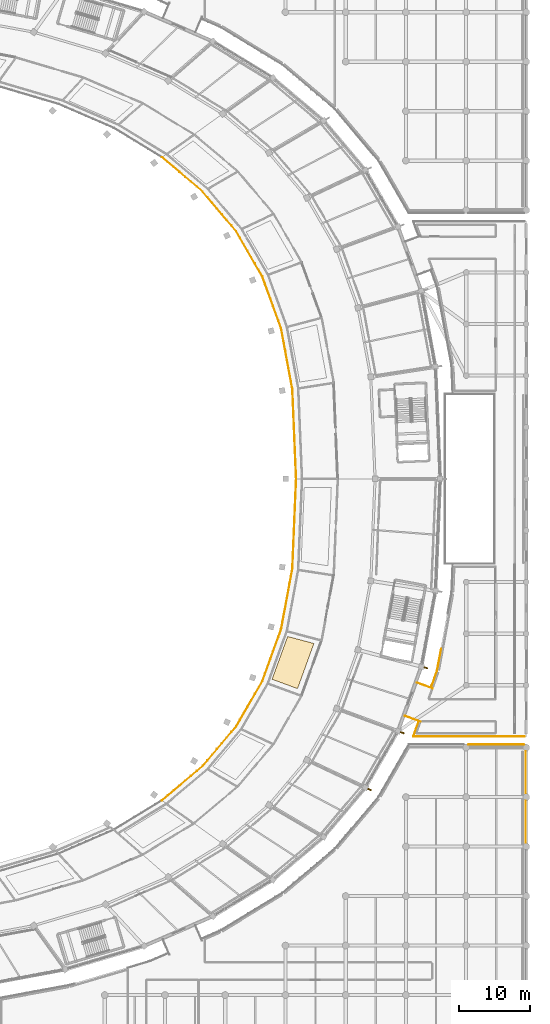
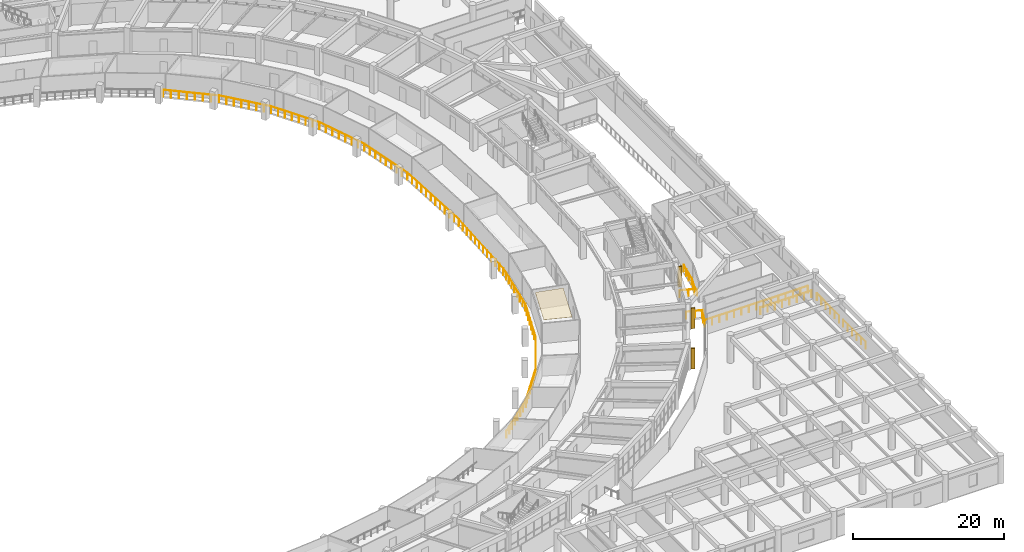
# One storey, part 127 of 141: 9 railings, 3 shading devices, 1 covering.
"""IFC4 building model written with IfcOpenShell, lengths in metres."""

from ifc_helpers import new_model, si_unit, direction, frame, origin, origin_2d, place, context, subcontext, project, spatial, polyline, rectangle, circle, outline, extrude, material, layer, layer_set, type_object, element, save


model = new_model("IFC4")

# Units and contexts
model_context = context("Model", 3, precision=1e-05, world=origin(), true_north=direction((0.0, 1.0)))
body_context = subcontext(model_context, "Body", "Model", "MODEL_VIEW")
ifc_project = project(units=[si_unit("LENGTHUNIT", "METRE"), si_unit("AREAUNIT", "SQUARE_METRE"), si_unit("VOLUMEUNIT", "CUBIC_METRE"), si_unit("PLANEANGLEUNIT", "RADIAN"), si_unit("MASSUNIT", "GRAM", prefix="KILO")], contexts=[model_context])

# Site, building, storey
site_placement = place(None, origin())
site = spatial("IfcSite", under=ifc_project, at=site_placement, CompositionType="ELEMENT")
building_placement = place(site_placement, origin())
building = spatial("IfcBuilding", under=site, at=building_placement, Name="Mphavela Belvedere Stadium", CompositionType="ELEMENT")
storey_placement = place(building_placement, frame((0.0, 0.0, 14.699951171875)))
storey = spatial("IfcBuildingStorey", under=building, at=storey_placement, Name="L03", CompositionType="ELEMENT", Elevation=14.699951171875)

# Covering
ifc_material_1 = material(Name="Perforated acoustic mineral ceiling tile")
ifc_layer = layer(ifc_material_1, 0.0400390625)
ifc_layer_set = layer_set([ifc_layer], Name="Perforated acoustic mineral ceiling tile")
covering_type = type_object("IfcCoveringType", Name="COV-CEILING-ACOUSTIC", PredefinedType="CEILING", material=ifc_layer_set)
covering_placement = place(storey_placement, frame((0.0, 0.0, 3.199951171875)))
element("IfcCovering", 1, at=covering_placement, inside=storey, type_object=covering_type, Name="Concourse acoustic ceiling L03-46", PredefinedType="CEILING", context=body_context, shape_type="SweptSolid", body=[
    extrude(outline(polyline([(194.041015625, 58.655029296875), (196.237060546875, 64.708251953125), (199.956298828125, 63.721923828125), (197.637451171875, 57.330078125), (194.041015625, 58.655029296875)])), origin(), (0.0, 0.0, 1.0), 0.0400390625),
])

# Railings
ifc_material_2 = material(Name="Bronze and laminated glass stadium balustrade", Category="glass")
railing_type = type_object("IfcRailingType", Name="RAL-BALUSTRADE-1120", PredefinedType="BALUSTRADE", material=ifc_material_2)
railing_1_placement = place(storey_placement, frame((212.845703125, 53.459228515625, 0.0)))
element("IfcRailing", 2, at=railing_1_placement, inside=storey, type_object=railing_type, Name="Colonnade link bridge balustrade L03-46A", PredefinedType="BALUSTRADE", context=body_context, shape_type="SweptSolid", body=[
    extrude(circle(Radius=0.02392578125, at=origin_2d()), frame((0.0, 0.0, 1.09619140625), z_axis=(0.940044916205, -0.341050664151, 0.0), x_axis=(0.341050664151, 0.940044916205, 0.0)), (0.0, 0.0, 1.0), 2.35009765625),
    extrude(circle(Radius=0.02099609375, at=origin_2d()), origin(), (0.0, 0.0, 1.0), 1.072021484375),
    extrude(circle(Radius=0.02099609375, at=origin_2d()), frame((1.1044921875, -0.40087890625, 0.0)), (0.0, 0.0, 1.0), 1.072021484375),
    extrude(circle(Radius=0.02099609375, at=origin_2d()), frame((2.209228515625, -0.801513671875, 0.0)), (0.0, 0.0, 1.0), 1.072021484375),
])
railing_2_placement = place(storey_placement, frame((214.55078125, 58.159423828125, 0.0)))
element("IfcRailing", 3, at=railing_2_placement, inside=storey, type_object=railing_type, Name="Colonnade link bridge balustrade L03-46B", PredefinedType="BALUSTRADE", context=body_context, shape_type="SweptSolid", body=[
    extrude(circle(Radius=0.02392578125, at=origin_2d()), frame((0.0, 0.0, 1.09619140625), z_axis=(0.940078218368, -0.340958858734, 0.0), x_axis=(0.340958858734, 0.940078218368, 0.0)), (0.0, 0.0, 1.0), 2.35009765625),
    extrude(circle(Radius=0.02099609375, at=origin_2d()), origin(), (0.0, 0.0, 1.0), 1.072021484375),
    extrude(circle(Radius=0.02099609375, at=origin_2d()), frame((1.1044921875, -0.400634765625, 0.0)), (0.0, 0.0, 1.0), 1.072021484375),
    extrude(circle(Radius=0.02099609375, at=origin_2d()), frame((2.209228515625, -0.80126953125, 0.0)), (0.0, 0.0, 1.0), 1.072021484375),
])
railing_3_placement = place(storey_placement, frame((197.449951171875, 87.0, 0.0)))
element("IfcRailing", 4, at=railing_3_placement, inside=storey, type_object=railing_type, Name="Bowl safety balustrade l03_bowl S1", PredefinedType="BALUSTRADE", context=body_context, shape_type="SweptSolid", body=[
    extrude(circle(Radius=0.02392578125, at=origin_2d()), frame((0.0, 0.0, 1.09619140625), z_axis=(-0.041909230152, 0.999121422265, 0.0), x_axis=(-0.999121422265, -0.041909230152, 0.0)), (0.0, 0.0, 1.0), 12.717041015625),
    extrude(circle(Radius=0.02392578125, at=origin_2d()), frame((-0.532958984375, 12.705810546875, 1.09619140625), z_axis=(-0.182605307463, 0.983186300599, 0.0), x_axis=(-0.983186300599, -0.182605307463, 0.0)), (0.0, 0.0, 1.0), 8.7412109375),
    extrude(circle(Radius=0.02392578125, at=origin_2d()), frame((-2.129150390625, 21.300048828125, 1.09619140625), z_axis=(-0.341057611605, 0.940042395622, 0.0), x_axis=(-0.940042395622, -0.341057611605, 0.0)), (0.0, 0.0, 1.0), 7.77978515625),
    extrude(circle(Radius=0.02392578125, at=origin_2d()), frame((-4.782470703125, 28.61328125, 1.09619140625), z_axis=(-0.500554399388, 0.865705084456, 0.0), x_axis=(-0.865705084456, -0.500554399388, 0.0)), (0.0, 0.0, 1.0), 7.390625),
    extrude(circle(Radius=0.02392578125, at=origin_2d()), frame((-8.48193359375, 35.011474609375, 1.09619140625), z_axis=(-0.645170891965, 0.764038297575, 0.0), x_axis=(-0.764038297575, -0.645170891965, 0.0)), (0.0, 0.0, 1.0), 7.338623046875),
    extrude(circle(Radius=0.02392578125, at=origin_2d()), frame((-13.216552734375, 40.618408203125, 1.09619140625), z_axis=(-0.764258051407, 0.644910560356, 0.0), x_axis=(-0.644910560356, -0.764258051407, 0.0)), (0.0, 0.0, 1.0), 7.5361328125),
    extrude(circle(Radius=0.02099609375, at=origin_2d()), origin(), (0.0, 0.0, 1.0), 1.072021484375),
    extrude(circle(Radius=0.02099609375, at=origin_2d()), frame((-0.04833984375, 1.155029296875, 0.0)), (0.0, 0.0, 1.0), 1.072021484375),
    extrude(circle(Radius=0.02099609375, at=origin_2d()), frame((-0.096923828125, 2.31005859375, 0.0)), (0.0, 0.0, 1.0), 1.072021484375),
    extrude(circle(Radius=0.02099609375, at=origin_2d()), frame((-0.145263671875, 3.46533203125, 0.0)), (0.0, 0.0, 1.0), 1.072021484375),
    extrude(circle(Radius=0.02099609375, at=origin_2d()), frame((-0.19384765625, 4.620361328125, 0.0)), (0.0, 0.0, 1.0), 1.072021484375),
    extrude(circle(Radius=0.02099609375, at=origin_2d()), frame((-0.2421875, 5.775390625, 0.0)), (0.0, 0.0, 1.0), 1.072021484375),
    extrude(circle(Radius=0.02099609375, at=origin_2d()), frame((-0.290771484375, 6.930419921875, 0.0)), (0.0, 0.0, 1.0), 1.072021484375),
    extrude(circle(Radius=0.02099609375, at=origin_2d()), frame((-0.339111328125, 8.08544921875, 0.0)), (0.0, 0.0, 1.0), 1.072021484375),
    extrude(circle(Radius=0.02099609375, at=origin_2d()), frame((-0.3876953125, 9.240478515625, 0.0)), (0.0, 0.0, 1.0), 1.072021484375),
    extrude(circle(Radius=0.02099609375, at=origin_2d()), frame((-0.43603515625, 10.395751953125, 0.0)), (0.0, 0.0, 1.0), 1.072021484375),
    extrude(circle(Radius=0.02099609375, at=origin_2d()), frame((-0.484619140625, 11.55078125, 0.0)), (0.0, 0.0, 1.0), 1.072021484375),
    extrude(circle(Radius=0.02099609375, at=origin_2d()), frame((-0.532958984375, 12.705810546875, 0.0)), (0.0, 0.0, 1.0), 1.072021484375),
    extrude(circle(Radius=0.02099609375, at=origin_2d()), frame((-0.732421875, 13.780029296875, 0.0)), (0.0, 0.0, 1.0), 1.072021484375),
    extrude(circle(Radius=0.02099609375, at=origin_2d()), frame((-0.93212890625, 14.8544921875, 0.0)), (0.0, 0.0, 1.0), 1.072021484375),
    extrude(circle(Radius=0.02099609375, at=origin_2d()), frame((-1.131591796875, 15.9287109375, 0.0)), (0.0, 0.0, 1.0), 1.072021484375),
    extrude(circle(Radius=0.02099609375, at=origin_2d()), frame((-1.3310546875, 17.0029296875, 0.0)), (0.0, 0.0, 1.0), 1.072021484375),
    extrude(circle(Radius=0.02099609375, at=origin_2d()), frame((-1.530517578125, 18.0771484375, 0.0)), (0.0, 0.0, 1.0), 1.072021484375),
    extrude(circle(Radius=0.02099609375, at=origin_2d()), frame((-1.72998046875, 19.1513671875, 0.0)), (0.0, 0.0, 1.0), 1.072021484375),
    extrude(circle(Radius=0.02099609375, at=origin_2d()), frame((-1.9296875, 20.225830078125, 0.0)), (0.0, 0.0, 1.0), 1.072021484375),
    extrude(circle(Radius=0.02099609375, at=origin_2d()), frame((-2.129150390625, 21.300048828125, 0.0)), (0.0, 0.0, 1.0), 1.072021484375),
    extrude(circle(Radius=0.02099609375, at=origin_2d()), frame((-2.50830078125, 22.3447265625, 0.0)), (0.0, 0.0, 1.0), 1.072021484375),
    extrude(circle(Radius=0.02099609375, at=origin_2d()), frame((-2.88720703125, 23.3896484375, 0.0)), (0.0, 0.0, 1.0), 1.072021484375),
    extrude(circle(Radius=0.02099609375, at=origin_2d()), frame((-3.266357421875, 24.434326171875, 0.0)), (0.0, 0.0, 1.0), 1.072021484375),
    extrude(circle(Radius=0.02099609375, at=origin_2d()), frame((-3.645263671875, 25.47900390625, 0.0)), (0.0, 0.0, 1.0), 1.072021484375),
    extrude(circle(Radius=0.02099609375, at=origin_2d()), frame((-4.0244140625, 26.523681640625, 0.0)), (0.0, 0.0, 1.0), 1.072021484375),
    extrude(circle(Radius=0.02099609375, at=origin_2d()), frame((-4.4033203125, 27.568603515625, 0.0)), (0.0, 0.0, 1.0), 1.072021484375),
    extrude(circle(Radius=0.02099609375, at=origin_2d()), frame((-4.782470703125, 28.61328125, 0.0)), (0.0, 0.0, 1.0), 1.072021484375),
    extrude(circle(Radius=0.02099609375, at=origin_2d()), frame((-5.31103515625, 29.52734375, 0.0)), (0.0, 0.0, 1.0), 1.072021484375),
    extrude(circle(Radius=0.02099609375, at=origin_2d()), frame((-5.83935546875, 30.44140625, 0.0)), (0.0, 0.0, 1.0), 1.072021484375),
    extrude(circle(Radius=0.02099609375, at=origin_2d()), frame((-6.367919921875, 31.35546875, 0.0)), (0.0, 0.0, 1.0), 1.072021484375),
    extrude(circle(Radius=0.02099609375, at=origin_2d()), frame((-6.896484375, 32.269287109375, 0.0)), (0.0, 0.0, 1.0), 1.072021484375),
    extrude(circle(Radius=0.02099609375, at=origin_2d()), frame((-7.425048828125, 33.183349609375, 0.0)), (0.0, 0.0, 1.0), 1.072021484375),
    extrude(circle(Radius=0.02099609375, at=origin_2d()), frame((-7.953369140625, 34.097412109375, 0.0)), (0.0, 0.0, 1.0), 1.072021484375),
    extrude(circle(Radius=0.02099609375, at=origin_2d()), frame((-8.48193359375, 35.011474609375, 0.0)), (0.0, 0.0, 1.0), 1.072021484375),
    extrude(circle(Radius=0.02099609375, at=origin_2d()), frame((-9.158203125, 35.8125, 0.0)), (0.0, 0.0, 1.0), 1.072021484375),
    extrude(circle(Radius=0.02099609375, at=origin_2d()), frame((-9.834716796875, 36.613525390625, 0.0)), (0.0, 0.0, 1.0), 1.072021484375),
    extrude(circle(Radius=0.02099609375, at=origin_2d()), frame((-10.510986328125, 37.41455078125, 0.0)), (0.0, 0.0, 1.0), 1.072021484375),
    extrude(circle(Radius=0.02099609375, at=origin_2d()), frame((-11.1875, 38.21533203125, 0.0)), (0.0, 0.0, 1.0), 1.072021484375),
    extrude(circle(Radius=0.02099609375, at=origin_2d()), frame((-11.86376953125, 39.016357421875, 0.0)), (0.0, 0.0, 1.0), 1.072021484375),
    extrude(circle(Radius=0.02099609375, at=origin_2d()), frame((-12.540283203125, 39.8173828125, 0.0)), (0.0, 0.0, 1.0), 1.072021484375),
    extrude(circle(Radius=0.02099609375, at=origin_2d()), frame((-13.216552734375, 40.618408203125, 0.0)), (0.0, 0.0, 1.0), 1.072021484375),
    extrude(circle(Radius=0.02099609375, at=origin_2d()), frame((-14.039306640625, 41.312744140625, 0.0)), (0.0, 0.0, 1.0), 1.072021484375),
    extrude(circle(Radius=0.02099609375, at=origin_2d()), frame((-14.862060546875, 42.007080078125, 0.0)), (0.0, 0.0, 1.0), 1.072021484375),
    extrude(circle(Radius=0.02099609375, at=origin_2d()), frame((-15.684814453125, 42.701416015625, 0.0)), (0.0, 0.0, 1.0), 1.072021484375),
    extrude(circle(Radius=0.02099609375, at=origin_2d()), frame((-16.5078125, 43.3955078125, 0.0)), (0.0, 0.0, 1.0), 1.072021484375),
    extrude(circle(Radius=0.02099609375, at=origin_2d()), frame((-17.33056640625, 44.08984375, 0.0)), (0.0, 0.0, 1.0), 1.072021484375),
    extrude(circle(Radius=0.02099609375, at=origin_2d()), frame((-18.1533203125, 44.7841796875, 0.0)), (0.0, 0.0, 1.0), 1.072021484375),
    extrude(circle(Radius=0.02099609375, at=origin_2d()), frame((-18.97607421875, 45.478515625, 0.0)), (0.0, 0.0, 1.0), 1.072021484375),
])
railing_4_placement = place(storey_placement, frame((178.473876953125, 41.521484375, 0.0)))
element("IfcRailing", 5, at=railing_4_placement, inside=storey, type_object=railing_type, Name="Bowl safety balustrade l03_bowl S8", PredefinedType="BALUSTRADE", context=body_context, shape_type="SweptSolid", body=[
    extrude(circle(Radius=0.02392578125, at=origin_2d()), frame((0.0, 0.0, 1.09619140625), z_axis=(0.764258051407, 0.644910560356, 0.0), x_axis=(-0.644910560356, 0.764258051407, 0.0)), (0.0, 0.0, 1.0), 7.5361328125),
    extrude(circle(Radius=0.02392578125, at=origin_2d()), frame((5.759521484375, 4.860107421875, 1.09619140625), z_axis=(0.645170891965, 0.764038297575, 0.0), x_axis=(-0.764038297575, 0.645170891965, 0.0)), (0.0, 0.0, 1.0), 7.338623046875),
    extrude(circle(Radius=0.02392578125, at=origin_2d()), frame((10.494140625, 10.467041015625, 1.09619140625), z_axis=(0.500554399388, 0.865705084456, 0.0), x_axis=(-0.865705084456, 0.500554399388, 0.0)), (0.0, 0.0, 1.0), 7.390625),
    extrude(circle(Radius=0.02392578125, at=origin_2d()), frame((14.193603515625, 16.865234375, 1.09619140625), z_axis=(0.341057611605, 0.940042395622, 0.0), x_axis=(-0.940042395622, 0.341057611605, 0.0)), (0.0, 0.0, 1.0), 7.77978515625),
    extrude(circle(Radius=0.02392578125, at=origin_2d()), frame((16.846923828125, 24.178466796875, 1.09619140625), z_axis=(0.182605307463, 0.983186300599, 0.0), x_axis=(-0.983186300599, 0.182605307463, 0.0)), (0.0, 0.0, 1.0), 8.7412109375),
    extrude(circle(Radius=0.02392578125, at=origin_2d()), frame((18.443115234375, 32.772705078125, 1.09619140625), z_axis=(0.041909230152, 0.999121422265, 0.0), x_axis=(-0.999121422265, 0.041909230152, 0.0)), (0.0, 0.0, 1.0), 12.717041015625),
    extrude(circle(Radius=0.02099609375, at=origin_2d()), origin(), (0.0, 0.0, 1.0), 1.072021484375),
    extrude(circle(Radius=0.02099609375, at=origin_2d()), frame((0.82275390625, 0.6943359375, 0.0)), (0.0, 0.0, 1.0), 1.072021484375),
    extrude(circle(Radius=0.02099609375, at=origin_2d()), frame((1.6455078125, 1.388671875, 0.0)), (0.0, 0.0, 1.0), 1.072021484375),
    extrude(circle(Radius=0.02099609375, at=origin_2d()), frame((2.46826171875, 2.0830078125, 0.0)), (0.0, 0.0, 1.0), 1.072021484375),
    extrude(circle(Radius=0.02099609375, at=origin_2d()), frame((3.291259765625, 2.777099609375, 0.0)), (0.0, 0.0, 1.0), 1.072021484375),
    extrude(circle(Radius=0.02099609375, at=origin_2d()), frame((4.114013671875, 3.471435546875, 0.0)), (0.0, 0.0, 1.0), 1.072021484375),
    extrude(circle(Radius=0.02099609375, at=origin_2d()), frame((4.936767578125, 4.165771484375, 0.0)), (0.0, 0.0, 1.0), 1.072021484375),
    extrude(circle(Radius=0.02099609375, at=origin_2d()), frame((5.759521484375, 4.860107421875, 0.0)), (0.0, 0.0, 1.0), 1.072021484375),
    extrude(circle(Radius=0.02099609375, at=origin_2d()), frame((6.435791015625, 5.6611328125, 0.0)), (0.0, 0.0, 1.0), 1.072021484375),
    extrude(circle(Radius=0.02099609375, at=origin_2d()), frame((7.1123046875, 6.462158203125, 0.0)), (0.0, 0.0, 1.0), 1.072021484375),
    extrude(circle(Radius=0.02099609375, at=origin_2d()), frame((7.78857421875, 7.26318359375, 0.0)), (0.0, 0.0, 1.0), 1.072021484375),
    extrude(circle(Radius=0.02099609375, at=origin_2d()), frame((8.465087890625, 8.06396484375, 0.0)), (0.0, 0.0, 1.0), 1.072021484375),
    extrude(circle(Radius=0.02099609375, at=origin_2d()), frame((9.141357421875, 8.864990234375, 0.0)), (0.0, 0.0, 1.0), 1.072021484375),
    extrude(circle(Radius=0.02099609375, at=origin_2d()), frame((9.81787109375, 9.666015625, 0.0)), (0.0, 0.0, 1.0), 1.072021484375),
    extrude(circle(Radius=0.02099609375, at=origin_2d()), frame((10.494140625, 10.467041015625, 0.0)), (0.0, 0.0, 1.0), 1.072021484375),
    extrude(circle(Radius=0.02099609375, at=origin_2d()), frame((11.022705078125, 11.381103515625, 0.0)), (0.0, 0.0, 1.0), 1.072021484375),
    extrude(circle(Radius=0.02099609375, at=origin_2d()), frame((11.551025390625, 12.295166015625, 0.0)), (0.0, 0.0, 1.0), 1.072021484375),
    extrude(circle(Radius=0.02099609375, at=origin_2d()), frame((12.07958984375, 13.209228515625, 0.0)), (0.0, 0.0, 1.0), 1.072021484375),
    extrude(circle(Radius=0.02099609375, at=origin_2d()), frame((12.608154296875, 14.123046875, 0.0)), (0.0, 0.0, 1.0), 1.072021484375),
    extrude(circle(Radius=0.02099609375, at=origin_2d()), frame((13.13671875, 15.037109375, 0.0)), (0.0, 0.0, 1.0), 1.072021484375),
    extrude(circle(Radius=0.02099609375, at=origin_2d()), frame((13.6650390625, 15.951171875, 0.0)), (0.0, 0.0, 1.0), 1.072021484375),
    extrude(circle(Radius=0.02099609375, at=origin_2d()), frame((14.193603515625, 16.865234375, 0.0)), (0.0, 0.0, 1.0), 1.072021484375),
    extrude(circle(Radius=0.02099609375, at=origin_2d()), frame((14.57275390625, 17.909912109375, 0.0)), (0.0, 0.0, 1.0), 1.072021484375),
    extrude(circle(Radius=0.02099609375, at=origin_2d()), frame((14.95166015625, 18.954833984375, 0.0)), (0.0, 0.0, 1.0), 1.072021484375),
    extrude(circle(Radius=0.02099609375, at=origin_2d()), frame((15.330810546875, 19.99951171875, 0.0)), (0.0, 0.0, 1.0), 1.072021484375),
    extrude(circle(Radius=0.02099609375, at=origin_2d()), frame((15.709716796875, 21.044189453125, 0.0)), (0.0, 0.0, 1.0), 1.072021484375),
    extrude(circle(Radius=0.02099609375, at=origin_2d()), frame((16.0888671875, 22.0888671875, 0.0)), (0.0, 0.0, 1.0), 1.072021484375),
    extrude(circle(Radius=0.02099609375, at=origin_2d()), frame((16.4677734375, 23.1337890625, 0.0)), (0.0, 0.0, 1.0), 1.072021484375),
    extrude(circle(Radius=0.02099609375, at=origin_2d()), frame((16.846923828125, 24.178466796875, 0.0)), (0.0, 0.0, 1.0), 1.072021484375),
    extrude(circle(Radius=0.02099609375, at=origin_2d()), frame((17.04638671875, 25.252685546875, 0.0)), (0.0, 0.0, 1.0), 1.072021484375),
    extrude(circle(Radius=0.02099609375, at=origin_2d()), frame((17.24609375, 26.3271484375, 0.0)), (0.0, 0.0, 1.0), 1.072021484375),
    extrude(circle(Radius=0.02099609375, at=origin_2d()), frame((17.445556640625, 27.4013671875, 0.0)), (0.0, 0.0, 1.0), 1.072021484375),
    extrude(circle(Radius=0.02099609375, at=origin_2d()), frame((17.64501953125, 28.4755859375, 0.0)), (0.0, 0.0, 1.0), 1.072021484375),
    extrude(circle(Radius=0.02099609375, at=origin_2d()), frame((17.844482421875, 29.5498046875, 0.0)), (0.0, 0.0, 1.0), 1.072021484375),
    extrude(circle(Radius=0.02099609375, at=origin_2d()), frame((18.0439453125, 30.6240234375, 0.0)), (0.0, 0.0, 1.0), 1.072021484375),
    extrude(circle(Radius=0.02099609375, at=origin_2d()), frame((18.24365234375, 31.698486328125, 0.0)), (0.0, 0.0, 1.0), 1.072021484375),
    extrude(circle(Radius=0.02099609375, at=origin_2d()), frame((18.443115234375, 32.772705078125, 0.0)), (0.0, 0.0, 1.0), 1.072021484375),
    extrude(circle(Radius=0.02099609375, at=origin_2d()), frame((18.491455078125, 33.927734375, 0.0)), (0.0, 0.0, 1.0), 1.072021484375),
    extrude(circle(Radius=0.02099609375, at=origin_2d()), frame((18.5400390625, 35.082763671875, 0.0)), (0.0, 0.0, 1.0), 1.072021484375),
    extrude(circle(Radius=0.02099609375, at=origin_2d()), frame((18.58837890625, 36.238037109375, 0.0)), (0.0, 0.0, 1.0), 1.072021484375),
    extrude(circle(Radius=0.02099609375, at=origin_2d()), frame((18.636962890625, 37.39306640625, 0.0)), (0.0, 0.0, 1.0), 1.072021484375),
    extrude(circle(Radius=0.02099609375, at=origin_2d()), frame((18.685302734375, 38.548095703125, 0.0)), (0.0, 0.0, 1.0), 1.072021484375),
    extrude(circle(Radius=0.02099609375, at=origin_2d()), frame((18.73388671875, 39.703125, 0.0)), (0.0, 0.0, 1.0), 1.072021484375),
    extrude(circle(Radius=0.02099609375, at=origin_2d()), frame((18.7822265625, 40.858154296875, 0.0)), (0.0, 0.0, 1.0), 1.072021484375),
    extrude(circle(Radius=0.02099609375, at=origin_2d()), frame((18.830810546875, 42.01318359375, 0.0)), (0.0, 0.0, 1.0), 1.072021484375),
    extrude(circle(Radius=0.02099609375, at=origin_2d()), frame((18.879150390625, 43.16845703125, 0.0)), (0.0, 0.0, 1.0), 1.072021484375),
    extrude(circle(Radius=0.02099609375, at=origin_2d()), frame((18.927734375, 44.323486328125, 0.0)), (0.0, 0.0, 1.0), 1.072021484375),
    extrude(circle(Radius=0.02099609375, at=origin_2d()), frame((18.97607421875, 45.478515625, 0.0)), (0.0, 0.0, 1.0), 1.072021484375),
])
railing_5_placement = place(storey_placement, frame((221.835693359375, 49.419921875, 0.0)))
element("IfcRailing", 6, at=railing_5_placement, inside=storey, type_object=railing_type, Name="Peristyle wing gallery edge balustrade L03-08", PredefinedType="BALUSTRADE", context=body_context, shape_type="SweptSolid", body=[
    extrude(circle(Radius=0.02392578125, at=origin_2d()), frame((0.0, 0.0, 1.09619140625), z_axis=(1.0, 0.0, 0.0), x_axis=(0.0, 1.0, 0.0)), (0.0, 0.0, 1.0), 7.809814453125),
    extrude(circle(Radius=0.02099609375, at=origin_2d()), origin(), (0.0, 0.0, 1.0), 1.072021484375),
    extrude(circle(Radius=0.02099609375, at=origin_2d()), frame((1.11572265625, 0.0, 0.0)), (0.0, 0.0, 1.0), 1.072021484375),
    extrude(circle(Radius=0.02099609375, at=origin_2d()), frame((2.2314453125, 0.0, 0.0)), (0.0, 0.0, 1.0), 1.072021484375),
    extrude(circle(Radius=0.02099609375, at=origin_2d()), frame((3.34716796875, 0.0, 0.0)), (0.0, 0.0, 1.0), 1.072021484375),
    extrude(circle(Radius=0.02099609375, at=origin_2d()), frame((4.462646484375, 0.0, 0.0)), (0.0, 0.0, 1.0), 1.072021484375),
    extrude(circle(Radius=0.02099609375, at=origin_2d()), frame((5.578369140625, 0.0, 0.0)), (0.0, 0.0, 1.0), 1.072021484375),
    extrude(circle(Radius=0.02099609375, at=origin_2d()), frame((6.694091796875, 0.0, 0.0)), (0.0, 0.0, 1.0), 1.072021484375),
    extrude(circle(Radius=0.02099609375, at=origin_2d()), frame((7.809814453125, 0.0, 0.0)), (0.0, 0.0, 1.0), 1.072021484375),
])
for number, where, name in (
    (7, (229.919921875, 48.45654296875, 0.0), "Peristyle wing gallery edge balustrade L03-09"),
    (8, (229.919921875, 41.45654296875, 0.0), "Peristyle wing gallery edge balustrade L03-10"),
):
    element("IfcRailing", number, at=place(storey_placement, frame(where)), inside=storey, type_object=railing_type, Name=name, PredefinedType="BALUSTRADE", context=body_context, shape_type="SweptSolid", body=[
        extrude(circle(Radius=0.02392578125, at=origin_2d()), frame((0.0, 0.0, 1.09619140625), z_axis=(0.0, -1.0, 0.0), x_axis=(1.0, 0.0, 0.0)), (0.0, 0.0, 1.0), 5.9130859375),
        extrude(circle(Radius=0.02099609375, at=origin_2d()), origin(), (0.0, 0.0, 1.0), 1.072021484375),
        extrude(circle(Radius=0.02099609375, at=origin_2d()), frame((0.0, -1.1826171875, 0.0)), (0.0, 0.0, 1.0), 1.072021484375),
        extrude(circle(Radius=0.02099609375, at=origin_2d()), frame((0.0, -2.365234375, 0.0)), (0.0, 0.0, 1.0), 1.072021484375),
        extrude(circle(Radius=0.02099609375, at=origin_2d()), frame((0.0, -3.5478515625, 0.0)), (0.0, 0.0, 1.0), 1.072021484375),
        extrude(circle(Radius=0.02099609375, at=origin_2d()), frame((0.0, -4.73046875, 0.0)), (0.0, 0.0, 1.0), 1.072021484375),
        extrude(circle(Radius=0.02099609375, at=origin_2d()), frame((0.0, -5.9130859375, 0.0)), (0.0, 0.0, 1.0), 1.072021484375),
    ])
railing_6_placement = place(storey_placement, frame((216.601806640625, 57.71337890625, 0.0)))
element("IfcRailing", 9, at=railing_6_placement, inside=storey, type_object=railing_type, Name="Peristyle wing gallery edge balustrade L03-60", PredefinedType="BALUSTRADE", context=body_context, shape_type="SweptSolid", body=[
    extrude(circle(Radius=0.02392578125, at=origin_2d()), frame((0.0, 0.0, 1.09619140625), z_axis=(0.337621951524, 0.941281795133, 0.0), x_axis=(-0.941281795133, 0.337621951524, 0.0)), (0.0, 0.0, 1.0), 2.26123046875),
    extrude(circle(Radius=0.02392578125, at=origin_2d()), frame((0.763427734375, 2.12841796875, 1.09619140625), z_axis=(0.184941248651, 0.982749578757, 0.0), x_axis=(-0.982749578757, 0.184941248651, 0.0)), (0.0, 0.0, 1.0), 3.18408203125),
    extrude(circle(Radius=0.02099609375, at=origin_2d()), origin(), (0.0, 0.0, 1.0), 1.072021484375),
    extrude(circle(Radius=0.02099609375, at=origin_2d()), frame((0.3818359375, 1.064208984375, 0.0)), (0.0, 0.0, 1.0), 1.072021484375),
    extrude(circle(Radius=0.02099609375, at=origin_2d()), frame((0.763427734375, 2.12841796875, 0.0)), (0.0, 0.0, 1.0), 1.072021484375),
    extrude(circle(Radius=0.02099609375, at=origin_2d()), frame((0.959716796875, 3.17138671875, 0.0)), (0.0, 0.0, 1.0), 1.072021484375),
    extrude(circle(Radius=0.02099609375, at=origin_2d()), frame((1.156005859375, 4.214599609375, 0.0)), (0.0, 0.0, 1.0), 1.072021484375),
    extrude(circle(Radius=0.02099609375, at=origin_2d()), frame((1.352294921875, 5.257568359375, 0.0)), (0.0, 0.0, 1.0), 1.072021484375),
])
railing_7_placement = place(storey_placement, frame((229.7666015625, 50.580078125, 0.0)))
element("IfcRailing", 10, at=railing_7_placement, inside=storey, type_object=railing_type, Name="Peristyle wing gallery edge balustrade L03-64", PredefinedType="BALUSTRADE", context=body_context, shape_type="SweptSolid", body=[
    extrude(circle(Radius=0.02392578125, at=origin_2d()), frame((0.0, 0.0, 1.09619140625), z_axis=(-1.0, 0.0, 0.0), x_axis=(0.0, -1.0, 0.0)), (0.0, 0.0, 1.0), 15.756103515625),
    extrude(circle(Radius=0.02392578125, at=origin_2d()), frame((-15.756103515625, 0.0, 1.09619140625), z_axis=(0.342380499121, 0.939561383743, 0.0), x_axis=(-0.939561383743, 0.342380499121, 0.0)), (0.0, 0.0, 1.0), 2.029296875),
    extrude(circle(Radius=0.02099609375, at=origin_2d()), origin(), (0.0, 0.0, 1.0), 1.072021484375),
    extrude(circle(Radius=0.02099609375, at=origin_2d()), frame((-1.12548828125, 0.0, 0.0)), (0.0, 0.0, 1.0), 1.072021484375),
    extrude(circle(Radius=0.02099609375, at=origin_2d()), frame((-2.2509765625, 0.0, 0.0)), (0.0, 0.0, 1.0), 1.072021484375),
    extrude(circle(Radius=0.02099609375, at=origin_2d()), frame((-3.376220703125, 0.0, 0.0)), (0.0, 0.0, 1.0), 1.072021484375),
    extrude(circle(Radius=0.02099609375, at=origin_2d()), frame((-4.501708984375, 0.0, 0.0)), (0.0, 0.0, 1.0), 1.072021484375),
    extrude(circle(Radius=0.02099609375, at=origin_2d()), frame((-5.627197265625, 0.0, 0.0)), (0.0, 0.0, 1.0), 1.072021484375),
    extrude(circle(Radius=0.02099609375, at=origin_2d()), frame((-6.752685546875, 0.0, 0.0)), (0.0, 0.0, 1.0), 1.072021484375),
    extrude(circle(Radius=0.02099609375, at=origin_2d()), frame((-7.8779296875, 0.0, 0.0)), (0.0, 0.0, 1.0), 1.072021484375),
    extrude(circle(Radius=0.02099609375, at=origin_2d()), frame((-9.00341796875, 0.0, 0.0)), (0.0, 0.0, 1.0), 1.072021484375),
    extrude(circle(Radius=0.02099609375, at=origin_2d()), frame((-10.12890625, 0.0, 0.0)), (0.0, 0.0, 1.0), 1.072021484375),
    extrude(circle(Radius=0.02099609375, at=origin_2d()), frame((-11.25439453125, 0.0, 0.0)), (0.0, 0.0, 1.0), 1.072021484375),
    extrude(circle(Radius=0.02099609375, at=origin_2d()), frame((-12.3798828125, 0.0, 0.0)), (0.0, 0.0, 1.0), 1.072021484375),
    extrude(circle(Radius=0.02099609375, at=origin_2d()), frame((-13.505126953125, 0.0, 0.0)), (0.0, 0.0, 1.0), 1.072021484375),
    extrude(circle(Radius=0.02099609375, at=origin_2d()), frame((-14.630615234375, 0.0, 0.0)), (0.0, 0.0, 1.0), 1.072021484375),
    extrude(circle(Radius=0.02099609375, at=origin_2d()), frame((-15.756103515625, 0.0, 0.0)), (0.0, 0.0, 1.0), 1.072021484375),
    extrude(circle(Radius=0.02099609375, at=origin_2d()), frame((-15.40869140625, 0.953369140625, 0.0)), (0.0, 0.0, 1.0), 1.072021484375),
    extrude(circle(Radius=0.02099609375, at=origin_2d()), frame((-15.061279296875, 1.90673828125, 0.0)), (0.0, 0.0, 1.0), 1.072021484375),
])

# Shading devices
ifc_material_3 = material(Name="Honed limestone and bronze vertical brise-soleil fin", Category="masonry")
shading_device_type = type_object("IfcShadingDeviceType", Name="SHD-SOLAR-FIN", PredefinedType="USERDEFINED", material=ifc_material_3)
for number, where, z_axis, x_axis, name in (
    (11, (207.828125, 43.061279296875, 0.0), (0.0, 0.0, 1.0), (0.903858661687, -0.4278311813, 0.0), "Classical vertical solar brise-soleil fin L03-45"),
    (12, (212.464111328125, 51.09375, 0.0), (0.0, 0.0, 1.0), (0.938372433776, -0.34562577382, 0.0), "Classical vertical solar brise-soleil fin L03-46"),
    (13, (215.791015625, 60.271484375, 0.0), (0.0, 0.0, 1.0), (0.966600102017, -0.256289373133, 0.0), "Classical vertical solar brise-soleil fin L03-47"),
):
    element("IfcShadingDevice", number, at=place(storey_placement, frame(where, z_axis=z_axis, x_axis=x_axis)), inside=storey, type_object=shading_device_type, Name=name, ObjectType="SOLAR FIN", PredefinedType="USERDEFINED", context=body_context, shape_type="SweptSolid", body=[
        extrude(rectangle(XDim=0.550048828125, YDim=0.179931640625, at=origin_2d()), origin(), (0.0, 0.0, 1.0), 3.320068359375),
    ])

save(model, "model.ifc")
